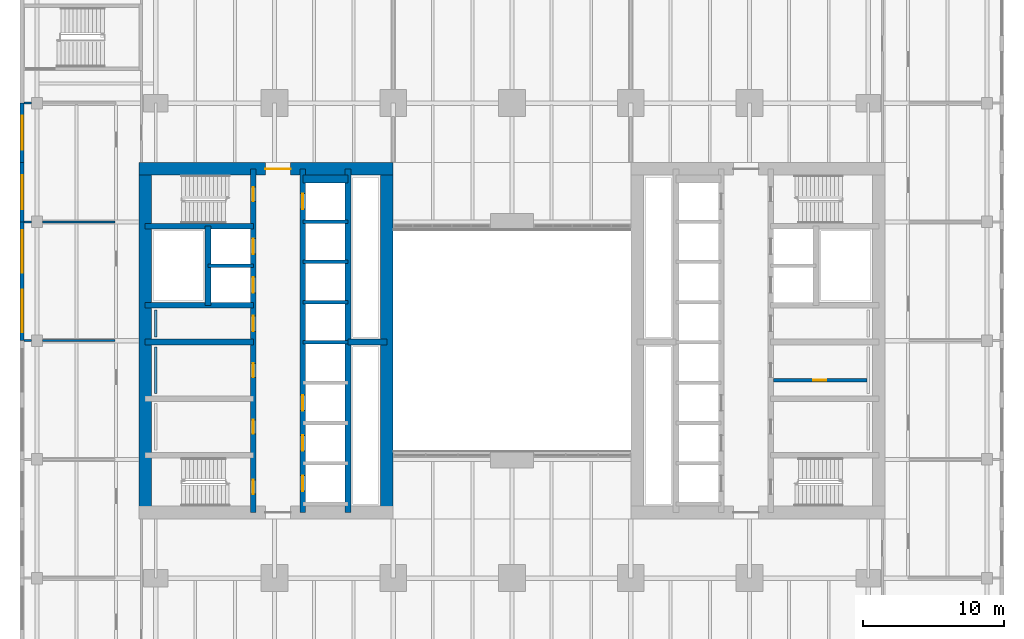
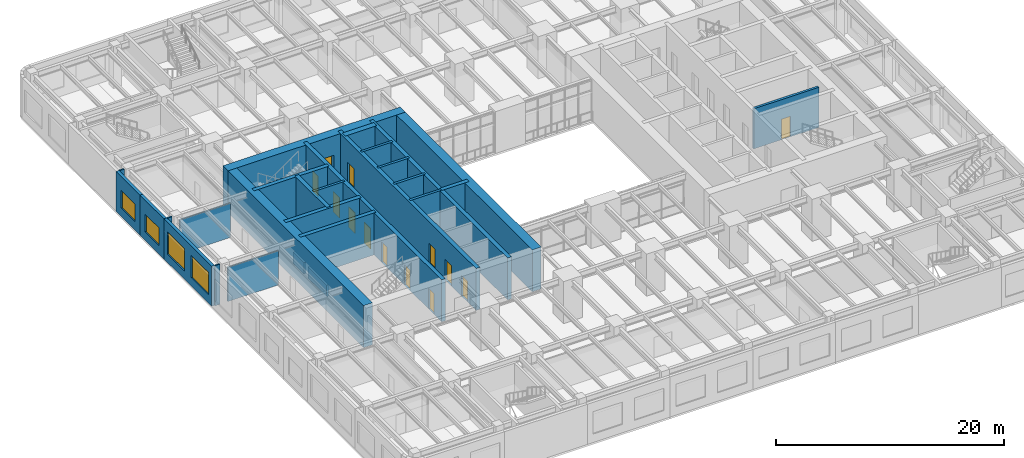
# One storey, part 11 of 26: 28 walls, 13 doors, 4 windows, 17 openings.
"""IFC4 building model written with IfcOpenShell, lengths in metres."""

from ifc_helpers import new_model, si_unit, direction, frame, frame_2d, origin, place, context, subcontext, project, spatial, rectangle, extrude, material, layer, layer_set, type_object, element, fill, save


model = new_model("IFC4")

# Units and contexts
model_context = context("Model", 3, precision=1e-05, world=origin(), true_north=direction((0.0, 1.0)))
body_context = subcontext(model_context, "Body", "Model", "MODEL_VIEW")
ifc_project = project(units=[si_unit("LENGTHUNIT", "METRE"), si_unit("AREAUNIT", "SQUARE_METRE"), si_unit("VOLUMEUNIT", "CUBIC_METRE"), si_unit("PLANEANGLEUNIT", "RADIAN"), si_unit("MASSUNIT", "GRAM", prefix="KILO")], contexts=[model_context])

# Site, building, storey
site_placement = place(None, origin())
site = spatial("IfcSite", under=ifc_project, at=site_placement, CompositionType="ELEMENT")
building_placement = place(site_placement, origin())
building = spatial("IfcBuilding", under=site, at=building_placement, Name="Claustro Exchange Tower", CompositionType="ELEMENT")
storey_placement = place(building_placement, frame((0.0, 0.0, 9.89990234375)))
storey = spatial("IfcBuildingStorey", under=building, at=storey_placement, Name="L02", CompositionType="ELEMENT", Elevation=9.89990234375)

# Walls
ifc_material_1 = material(Name="Gypsum board on steel studs", Category="steel")
ifc_layer_1 = layer(ifc_material_1, 0.14990234375)
ifc_layer_set_1 = layer_set([ifc_layer_1], Name="Gypsum board on steel studs")
wall_type_1 = type_object("IfcWallType", Name="P1 150 plasterboard partition", PredefinedType="PARTITIONING", material=ifc_layer_set_1)
wall_1_placement = place(storey_placement, frame((-9.300048828125, 25.199951171875, 0.0), z_axis=(0.0, 0.0, 1.0), x_axis=(1.0, 0.0, 0.0)))
element("IfcWall", 1, at=wall_1_placement, inside=storey, type_object=wall_type_1, Name="Partition P1 L02", PredefinedType="PARTITIONING", context=body_context, shape_type="SweptSolid", body=[
    extrude(rectangle(XDim=0.5009765625, YDim=0.14990234375, at=frame_2d((0.25048828125, 0.0))), origin(), (0.0, 0.0, 1.0), 4.300048828125),
])
wall_2_placement = place(storey_placement, frame((-8.0009765625, 25.199951171875, 0.0), z_axis=(0.0, 0.0, 1.0), x_axis=(1.0, 0.0, 0.0)))
element("IfcWall", 2, at=wall_2_placement, inside=storey, type_object=wall_type_1, Name="Partition P1 L02", PredefinedType="PARTITIONING", context=body_context, shape_type="SweptSolid", body=[
    extrude(rectangle(XDim=5.126953125, YDim=0.14990234375, at=frame_2d((2.5634765625, 0.0))), origin(), (0.0, 0.0, 1.0), 3.650146484375),
])
wall_3_placement = place(storey_placement, frame((-9.300048828125, 33.60009765625, 0.0), z_axis=(0.0, 0.0, 1.0), x_axis=(1.0, 0.0, 0.0)))
element("IfcWall", 3, at=wall_3_placement, inside=storey, type_object=wall_type_1, Name="Partition P1 L02", PredefinedType="PARTITIONING", context=body_context, shape_type="SweptSolid", body=[
    extrude(rectangle(XDim=0.5009765625, YDim=0.14990234375, at=frame_2d((0.25048828125, 0.0))), origin(), (0.0, 0.0, 1.0), 4.300048828125),
])
wall_4_placement = place(storey_placement, frame((-8.0009765625, 33.60009765625, 0.0), z_axis=(0.0, 0.0, 1.0), x_axis=(1.0, 0.0, 0.0)))
element("IfcWall", 4, at=wall_4_placement, inside=storey, type_object=wall_type_1, Name="Partition P1 L02", PredefinedType="PARTITIONING", context=body_context, shape_type="SweptSolid", body=[
    extrude(rectangle(XDim=5.126953125, YDim=0.14990234375, at=frame_2d((2.5634765625, 0.0))), origin(), (0.0, 0.0, 1.0), 3.650146484375),
])
wall_5_placement = place(storey_placement, frame((-9.300048828125, 42.0, 0.0), z_axis=(0.0, 0.0, 1.0), x_axis=(1.0, 0.0, 0.0)))
element("IfcWall", 5, at=wall_5_placement, inside=storey, type_object=wall_type_1, Name="Partition P1 L02", PredefinedType="PARTITIONING", context=body_context, shape_type="SweptSolid", body=[
    extrude(rectangle(XDim=0.5009765625, YDim=0.14990234375, at=frame_2d((0.25048828125, 0.0))), origin(), (0.0, 0.0, 1.0), 4.300048828125),
])

# Wall, opening, door
ifc_material_2 = material(Name="Concrete blockwork, rendered", Category="masonry")
ifc_layer_2 = layer(ifc_material_2, 0.25)
ifc_layer_set_2 = layer_set([ifc_layer_2], Name="Concrete blockwork, rendered")
wall_type_2 = type_object("IfcWallType", Name="P4 250 blockwork wall", PredefinedType="PARTITIONING", material=ifc_layer_set_2)
wall_6_placement = place(storey_placement, frame((43.699951171875, 22.39990234375, 0.0), z_axis=(0.0, 0.0, 1.0), x_axis=(1.0, 0.0, 0.0)))
wall_6 = element("IfcWall", 6, at=wall_6_placement, inside=storey, type_object=wall_type_2, Name="Partition P4 L02", PredefinedType="PARTITIONING", context=body_context, shape_type="SweptSolid", body=[
    extrude(rectangle(XDim=6.60009765625, YDim=0.25, at=frame_2d((3.300048828125, 0.0))), origin(), (0.0, 0.0, 1.0), 4.300048828125),
])
opening_1_placement = place(wall_6_placement, frame((2.824951171875, 0.0, 0.0)))
opening_1 = element("IfcOpeningElement", 7, at=opening_1_placement, cuts=wall_6, Name="Opening D5", PredefinedType="OPENING", context=body_context, shape_type="SweptSolid", body=[
    extrude(rectangle(XDim=0.89990234375, YDim=2.199951171875, at=frame_2d((0.449951171875, 1.10009765625))), frame((0.0, 0.135009765625, 0.0), z_axis=(0.0, -1.0, 0.0), x_axis=(1.0, 0.0, 0.0)), (0.0, 0.0, 1.0), 0.27001953125),
])
ifc_material_3 = material(Name="Steel door, painted", Category="steel")
door_type_1 = type_object("IfcDoorType", Name="D5 900 x 2200 store door", OperationType="SINGLE_SWING_LEFT", PredefinedType="DOOR", material=ifc_material_3)
door_1_placement = place(opening_1_placement, frame((0.89990234375, 0.0, 0.0), z_axis=(0.0, 0.0, 1.0), x_axis=(-1.0, 0.0, 0.0)))
door_1 = element("IfcDoor", 8, at=door_1_placement, inside=storey, type_object=door_type_1, Name="Store door D5 L02", OperationType="SINGLE_SWING_LEFT", OverallHeight=2.199951171875, OverallWidth=0.89990234375, PredefinedType="DOOR", context=body_context, shape_type="SweptSolid", body=[
    extrude(rectangle(XDim=0.89990234375, YDim=2.199951171875, at=frame_2d((0.449951171875, 1.10009765625))), frame((0.0, 0.02490234375, 0.0), z_axis=(0.0, -1.0, 0.0), x_axis=(1.0, 0.0, 0.0)), (0.0, 0.0, 1.0), 0.050048828125),
])
fill(opening_1, door_1)

# Wall, openings, windows
ifc_material_4 = material(Name="Concrete HA-40 (C40/50), precast, white cement, acid-etched", Category="concrete")
ifc_layer_3 = layer(ifc_material_4, 0.300048828125)
ifc_layer_set_3 = layer_set([ifc_layer_3], Name="Concrete HA-40 (C40/50), precast, white cement, acid-etched")
wall_type_3 = type_object("IfcWallType", Name="PC1 300 precast concrete pier panel", PredefinedType="SOLIDWALL", material=ifc_layer_set_3)
wall_7_placement = place(storey_placement, frame((-9.449951171875, 25.199951171875, 0.0), z_axis=(0.0, 0.0, 1.0), x_axis=(0.0, 1.0, 0.0)))
wall_7 = element("IfcWall", 9, at=wall_7_placement, inside=storey, type_object=wall_type_3, Name="Precast pier panel PC1 L02", PredefinedType="SOLIDWALL", context=body_context, shape_type="SweptSolid", body=[
    extrude(rectangle(XDim=8.400146484375, YDim=0.300048828125, at=frame_2d((4.2001953125, 0.0))), origin(), (0.0, 0.0, 1.0), 4.300048828125),
])
opening_2_placement = place(wall_7_placement, frame((0.60009765625, 0.0, 0.89990234375)))
opening_2 = element("IfcOpeningElement", 10, at=opening_2_placement, cuts=wall_7, Name="Opening W3", PredefinedType="OPENING", context=body_context, shape_type="SweptSolid", body=[
    extrude(rectangle(XDim=3.0, YDim=2.39990234375, at=frame_2d((1.5, 1.199951171875))), frame((0.0, 0.159912109375, 0.0), z_axis=(0.0, -1.0, 0.0), x_axis=(1.0, 0.0, 0.0)), (0.0, 0.0, 1.0), 0.320068359375),
])
opening_3_placement = place(wall_7_placement, frame((4.800048828125, 0.0, 0.89990234375)))
opening_3 = element("IfcOpeningElement", 11, at=opening_3_placement, cuts=wall_7, Name="Opening W3", PredefinedType="OPENING", context=body_context, shape_type="SweptSolid", body=[
    extrude(rectangle(XDim=3.0, YDim=2.39990234375, at=frame_2d((1.5, 1.199951171875))), frame((0.0, 0.159912109375, 0.0), z_axis=(0.0, -1.0, 0.0), x_axis=(1.0, 0.0, 0.0)), (0.0, 0.0, 1.0), 0.320068359375),
])
ifc_material_5 = material(Name="Aluminium frame, clear double glazing", Category="aluminium")
window_type_1 = type_object("IfcWindowType", Name="W3 3000 x 2400 window", PartitioningType="SINGLE_PANEL", PredefinedType="WINDOW", material=ifc_material_5)
window_1_placement = place(opening_2_placement, origin())
window_1 = element("IfcWindow", 12, at=window_1_placement, inside=storey, type_object=window_type_1, Name="Window W3 L02", OverallHeight=2.39990234375, OverallWidth=3.0, PartitioningType="SINGLE_PANEL", PredefinedType="WINDOW", context=body_context, shape_type="SweptSolid", body=[
    extrude(rectangle(XDim=3.0, YDim=2.39990234375, at=frame_2d((1.5, 1.199951171875))), frame((0.0, 0.030029296875, 0.0), z_axis=(0.0, -1.0, 0.0), x_axis=(1.0, 0.0, 0.0)), (0.0, 0.0, 1.0), 0.06005859375),
])
fill(opening_2, window_1)
window_2_placement = place(opening_3_placement, origin())
window_2 = element("IfcWindow", 13, at=window_2_placement, inside=storey, type_object=window_type_1, Name="Window W3 L02", OverallHeight=2.39990234375, OverallWidth=3.0, PartitioningType="SINGLE_PANEL", PredefinedType="WINDOW", context=body_context, shape_type="SweptSolid", body=[
    extrude(rectangle(XDim=3.0, YDim=2.39990234375, at=frame_2d((1.5, 1.199951171875))), frame((0.0, 0.030029296875, 0.0), z_axis=(0.0, -1.0, 0.0), x_axis=(1.0, 0.0, 0.0)), (0.0, 0.0, 1.0), 0.06005859375),
])
fill(opening_3, window_2)

# Wall, opening, window
wall_8_placement = place(storey_placement, frame((-9.449951171875, 33.60009765625, 0.0), z_axis=(0.0, 0.0, 1.0), x_axis=(0.0, 1.0, 0.0)))
wall_8 = element("IfcWall", 14, at=wall_8_placement, inside=storey, type_object=wall_type_3, Name="Precast pier panel PC1 L02", PredefinedType="SOLIDWALL", context=body_context, shape_type="SweptSolid", body=[
    extrude(rectangle(XDim=4.199951171875, YDim=0.300048828125, at=frame_2d((2.10009765625, 0.0))), origin(), (0.0, 0.0, 1.0), 4.300048828125),
])
opening_4_placement = place(wall_8_placement, frame((0.89990234375, 0.0, 0.89990234375)))
opening_4 = element("IfcOpeningElement", 15, at=opening_4_placement, cuts=wall_8, Name="Opening W2", PredefinedType="OPENING", context=body_context, shape_type="SweptSolid", body=[
    extrude(rectangle(XDim=2.39990234375, YDim=1.89990234375, at=frame_2d((1.199951171875, 0.949951171875))), frame((0.0, 0.159912109375, 0.0), z_axis=(0.0, -1.0, 0.0), x_axis=(1.0, 0.0, 0.0)), (0.0, 0.0, 1.0), 0.320068359375),
])
ifc_material_6 = material(Name="Aluminium frame, clear double glazing", Category="aluminium")
window_type_2 = type_object("IfcWindowType", Name="W2 2400 x 1900 window", PartitioningType="SINGLE_PANEL", PredefinedType="WINDOW", material=ifc_material_6)
window_3_placement = place(opening_4_placement, origin())
window_3 = element("IfcWindow", 16, at=window_3_placement, inside=storey, type_object=window_type_2, Name="Window W2 L02", OverallHeight=1.89990234375, OverallWidth=2.39990234375, PartitioningType="SINGLE_PANEL", PredefinedType="WINDOW", context=body_context, shape_type="SweptSolid", body=[
    extrude(rectangle(XDim=2.39990234375, YDim=1.89990234375, at=frame_2d((1.199951171875, 0.949951171875))), frame((0.0, 0.030029296875, 0.0), z_axis=(0.0, -1.0, 0.0), x_axis=(1.0, 0.0, 0.0)), (0.0, 0.0, 1.0), 0.06005859375),
])
fill(opening_4, window_3)

wall_9_placement = place(storey_placement, frame((-9.449951171875, 37.800048828125, 0.0), z_axis=(0.0, 0.0, 1.0), x_axis=(0.0, 1.0, 0.0)))
wall_9 = element("IfcWall", 17, at=wall_9_placement, inside=storey, type_object=wall_type_3, Name="Precast pier panel PC1 L02", PredefinedType="SOLIDWALL", context=body_context, shape_type="SweptSolid", body=[
    extrude(rectangle(XDim=4.199951171875, YDim=0.300048828125, at=frame_2d((2.10009765625, 0.0))), origin(), (0.0, 0.0, 1.0), 4.300048828125),
])
opening_5_placement = place(wall_9_placement, frame((0.89990234375, 0.0, 0.89990234375)))
opening_5 = element("IfcOpeningElement", 18, at=opening_5_placement, cuts=wall_9, Name="Opening W2", PredefinedType="OPENING", context=body_context, shape_type="SweptSolid", body=[
    extrude(rectangle(XDim=2.39990234375, YDim=1.89990234375, at=frame_2d((1.199951171875, 0.949951171875))), frame((0.0, 0.159912109375, 0.0), z_axis=(0.0, -1.0, 0.0), x_axis=(1.0, 0.0, 0.0)), (0.0, 0.0, 1.0), 0.320068359375),
])
window_4_placement = place(opening_5_placement, origin())
window_4 = element("IfcWindow", 19, at=window_4_placement, inside=storey, type_object=window_type_2, Name="Window W2 L02", OverallHeight=1.89990234375, OverallWidth=2.39990234375, PartitioningType="SINGLE_PANEL", PredefinedType="WINDOW", context=body_context, shape_type="SweptSolid", body=[
    extrude(rectangle(XDim=2.39990234375, YDim=1.89990234375, at=frame_2d((1.199951171875, 0.949951171875))), frame((0.0, 0.030029296875, 0.0), z_axis=(0.0, -1.0, 0.0), x_axis=(1.0, 0.0, 0.0)), (0.0, 0.0, 1.0), 0.06005859375),
])
fill(opening_5, window_4)

# Walls
ifc_material_7 = material(Name="Gypsum board on steel studs, tiled", Category="steel")
ifc_layer_4 = layer(ifc_material_7, 0.199951171875)
ifc_layer_set_4 = layer_set([ifc_layer_4], Name="Gypsum board on steel studs, tiled")
wall_type_4 = type_object("IfcWallType", Name="PW1 200 WC duct wall", PredefinedType="PLUMBINGWALL", material=ifc_layer_set_4)
wall_10_placement = place(storey_placement, frame((0.0, 21.449951171875, 0.0), z_axis=(0.0, 0.0, 1.0), x_axis=(0.0, 1.0, 0.0)))
element("IfcWall", 20, at=wall_10_placement, inside=storey, type_object=wall_type_4, Name="WC duct wall PW1 L02", PredefinedType="PLUMBINGWALL", context=body_context, shape_type="SweptSolid", body=[
    extrude(rectangle(XDim=3.300048828125, YDim=0.199951171875, at=frame_2d((1.64990234375, 0.0))), origin(), (0.0, 0.0, 1.0), 1.2001953125),
])
wall_11_placement = place(storey_placement, frame((0.0, 25.449951171875, 0.0), z_axis=(0.0, 0.0, 1.0), x_axis=(0.0, 1.0, 0.0)))
element("IfcWall", 21, at=wall_11_placement, inside=storey, type_object=wall_type_4, Name="WC duct wall PW1 L02", PredefinedType="PLUMBINGWALL", context=body_context, shape_type="SweptSolid", body=[
    extrude(rectangle(XDim=1.900146484375, YDim=0.199951171875, at=frame_2d((0.9501953125, 0.0))), origin(), (0.0, 0.0, 1.0), 1.2001953125),
])

# Wall, opening, door
ifc_material_8 = material(Name="Concrete HA-70 (C70/85)", Category="concrete")
ifc_layer_5 = layer(ifc_material_8, 0.89990234375)
ifc_layer_set_5 = layer_set([ifc_layer_5], Name="Concrete HA-70 (C70/85)")
wall_type_5 = type_object("IfcWallType", Name="SW1 900 core shear wall", PredefinedType="SHEAR", material=ifc_layer_set_5)
wall_12_placement = place(storey_placement, frame((-1.199951171875, 37.35009765625, 0.0), z_axis=(0.0, 0.0, 1.0), x_axis=(1.0, 0.0, 0.0)))
wall_12 = element("IfcWall", 22, at=wall_12_placement, inside=storey, type_object=wall_type_5, Name="Core wall SW1 W core N face L02", PredefinedType="SHEAR", context=body_context, shape_type="SweptSolid", body=[
    extrude(rectangle(XDim=18.0, YDim=0.89990234375, at=frame_2d((9.0, 0.0))), origin(), (0.0, 0.0, 1.0), 4.5),
])
opening_6_placement = place(wall_12_placement, frame((8.949951171875, 0.0, 0.0)))
opening_6 = element("IfcOpeningElement", 23, at=opening_6_placement, cuts=wall_12, Name="Opening D3", PredefinedType="OPENING", context=body_context, shape_type="SweptSolid", body=[
    extrude(rectangle(XDim=1.800048828125, YDim=2.39990234375, at=frame_2d((0.89990234375, 1.199951171875))), frame((0.0, 0.4599609375, 0.0), z_axis=(0.0, -1.0, 0.0), x_axis=(1.0, 0.0, 0.0)), (0.0, 0.0, 1.0), 0.919921875),
])
ifc_material_9 = material(Name="Steel fire door, painted", Category="steel")
door_type_2 = type_object("IfcDoorType", Name="D3 1800 x 2400 fire-rated lobby double door", OperationType="DOUBLE_DOOR_SINGLE_SWING", PredefinedType="DOOR", material=ifc_material_9)
door_2_placement = place(opening_6_placement, origin())
door_2 = element("IfcDoor", 24, at=door_2_placement, inside=storey, type_object=door_type_2, Name="Lift lobby door D3 L02", OperationType="DOUBLE_DOOR_SINGLE_SWING", OverallHeight=2.39990234375, OverallWidth=1.800048828125, PredefinedType="DOOR", context=body_context, shape_type="SweptSolid", body=[
    extrude(rectangle(XDim=1.800048828125, YDim=2.39990234375, at=frame_2d((0.89990234375, 1.199951171875))), frame((0.0, 0.02490234375, 0.0), z_axis=(0.0, -1.0, 0.0), x_axis=(1.0, 0.0, 0.0)), (0.0, 0.0, 1.0), 0.050048828125),
])
fill(opening_6, door_2)

# Walls
ifc_material_10 = material(Name="Concrete HA-70 (C70/85)", Category="concrete")
ifc_layer_6 = layer(ifc_material_10, 0.89990234375)
ifc_layer_set_6 = layer_set([ifc_layer_6], Name="Concrete HA-70 (C70/85)")
wall_type_6 = type_object("IfcWallType", Name="SW1X 900 exposed core shear wall, board-marked face", PredefinedType="SHEAR", material=ifc_layer_set_6)
for number, where, z_axis, x_axis, name in (
    (25, (-0.75, 13.050048828125, 0.0), (0.0, 0.0, 1.0), (0.0, 1.0, 0.0), "Core wall SW1X W core W face L02"),
    (26, (16.35009765625, 13.050048828125, 0.0), (0.0, 0.0, 1.0), (0.0, 1.0, 0.0), "Core wall SW1X W core E face L02"),
):
    element("IfcWall", number, at=place(storey_placement, frame(where, z_axis=z_axis, x_axis=x_axis)), inside=storey, type_object=wall_type_6, Name=name, PredefinedType="SHEAR", context=body_context, shape_type="SweptSolid", body=[
        extrude(rectangle(XDim=24.300048828125, YDim=0.89990234375, at=frame_2d((12.14990234375, 0.0))), origin(), (0.0, 0.0, 1.0), 4.5),
    ])

# Wall, openings, doors
ifc_material_11 = material(Name="Concrete HA-50 (C50/60)", Category="concrete")
ifc_layer_7 = layer(ifc_material_11, 0.39990234375)
ifc_layer_set_7 = layer_set([ifc_layer_7], Name="Concrete HA-50 (C50/60)")
wall_type_7 = type_object("IfcWallType", Name="SW4 400 internal core wall", PredefinedType="SHEAR", material=ifc_layer_set_7)
wall_13_placement = place(storey_placement, frame((6.89990234375, 13.050048828125, 0.0), z_axis=(0.0, 0.0, 1.0), x_axis=(0.0, 1.0, 0.0)))
wall_13 = element("IfcWall", 27, at=wall_13_placement, inside=storey, type_object=wall_type_7, Name="Internal core wall SW4 W core L02", PredefinedType="SHEAR", context=body_context, shape_type="SweptSolid", body=[
    extrude(rectangle(XDim=24.300048828125, YDim=0.39990234375, at=frame_2d((12.14990234375, 0.0))), origin(), (0.0, 0.0, 1.0), 4.5),
])
opening_7_placement = place(wall_13_placement, frame((1.300048828125, 0.0, 0.0)))
opening_7 = element("IfcOpeningElement", 28, at=opening_7_placement, cuts=wall_13, Name="Opening D4", PredefinedType="OPENING", context=body_context, shape_type="SweptSolid", body=[
    extrude(rectangle(XDim=1.0, YDim=2.199951171875, at=frame_2d((0.5, 1.10009765625))), frame((0.0, 0.2099609375, 0.0), z_axis=(0.0, -1.0, 0.0), x_axis=(1.0, 0.0, 0.0)), (0.0, 0.0, 1.0), 0.419921875),
])
opening_8_placement = place(wall_13_placement, frame((22.0, 0.0, 0.0)))
opening_8 = element("IfcOpeningElement", 29, at=opening_8_placement, cuts=wall_13, Name="Opening D4", PredefinedType="OPENING", context=body_context, shape_type="SweptSolid", body=[
    extrude(rectangle(XDim=1.0, YDim=2.199951171875, at=frame_2d((0.5, 1.10009765625))), frame((0.0, 0.2099609375, 0.0), z_axis=(0.0, -1.0, 0.0), x_axis=(1.0, 0.0, 0.0)), (0.0, 0.0, 1.0), 0.419921875),
])
opening_9_placement = place(wall_13_placement, frame((5.550048828125, 0.0, 0.0)))
opening_9 = element("IfcOpeningElement", 30, at=opening_9_placement, cuts=wall_13, Name="Opening D1", PredefinedType="OPENING", context=body_context, shape_type="SweptSolid", body=[
    extrude(rectangle(XDim=1.0, YDim=2.199951171875, at=frame_2d((0.5, 1.10009765625))), frame((0.0, 0.2099609375, 0.0), z_axis=(0.0, -1.0, 0.0), x_axis=(1.0, 0.0, 0.0)), (0.0, 0.0, 1.0), 0.419921875),
])
opening_10_placement = place(wall_13_placement, frame((9.550048828125, 0.0, 0.0)))
opening_10 = element("IfcOpeningElement", 31, at=opening_10_placement, cuts=wall_13, Name="Opening D1", PredefinedType="OPENING", context=body_context, shape_type="SweptSolid", body=[
    extrude(rectangle(XDim=1.0, YDim=2.199951171875, at=frame_2d((0.5, 1.10009765625))), frame((0.0, 0.2099609375, 0.0), z_axis=(0.0, -1.0, 0.0), x_axis=(1.0, 0.0, 0.0)), (0.0, 0.0, 1.0), 0.419921875),
])
opening_11_placement = place(wall_13_placement, frame((12.800048828125, 0.0, 0.0)))
opening_11 = element("IfcOpeningElement", 32, at=opening_11_placement, cuts=wall_13, Name="Opening D10", PredefinedType="OPENING", context=body_context, shape_type="SweptSolid", body=[
    extrude(rectangle(XDim=1.10009765625, YDim=2.199951171875, at=frame_2d((0.550048828125, 1.10009765625))), frame((0.0, 0.2099609375, 0.0), z_axis=(0.0, -1.0, 0.0), x_axis=(1.0, 0.0, 0.0)), (0.0, 0.0, 1.0), 0.419921875),
])
opening_12_placement = place(wall_13_placement, frame((15.53759765625, 0.0, 0.0)))
opening_12 = element("IfcOpeningElement", 33, at=opening_12_placement, cuts=wall_13, Name="Opening LD", PredefinedType="OPENING", context=body_context, shape_type="SweptSolid", body=[
    extrude(rectangle(XDim=1.10009765625, YDim=2.199951171875, at=frame_2d((0.550048828125, 1.10009765625))), frame((0.0, 0.2099609375, 0.0), z_axis=(0.0, -1.0, 0.0), x_axis=(1.0, 0.0, 0.0)), (0.0, 0.0, 1.0), 0.419921875),
])
opening_13_placement = place(wall_13_placement, frame((18.262451171875, 0.0, 0.0)))
opening_13 = element("IfcOpeningElement", 34, at=opening_13_placement, cuts=wall_13, Name="Opening LD", PredefinedType="OPENING", context=body_context, shape_type="SweptSolid", body=[
    extrude(rectangle(XDim=1.10009765625, YDim=2.199951171875, at=frame_2d((0.550048828125, 1.10009765625))), frame((0.0, 0.2099609375, 0.0), z_axis=(0.0, -1.0, 0.0), x_axis=(1.0, 0.0, 0.0)), (0.0, 0.0, 1.0), 0.419921875),
])
ifc_material_12 = material(Name="Timber door, oak veneer", Category="wood")
door_type_3 = type_object("IfcDoorType", Name="D1 1000 x 2200 single door", OperationType="SINGLE_SWING_LEFT", PredefinedType="DOOR", material=ifc_material_12)
door_3_placement = place(opening_9_placement, origin())
door_3 = element("IfcDoor", 35, at=door_3_placement, inside=storey, type_object=door_type_3, Name="Door D1 L02", OperationType="SINGLE_SWING_RIGHT", OverallHeight=2.199951171875, OverallWidth=1.0, PredefinedType="DOOR", context=body_context, shape_type="SweptSolid", body=[
    extrude(rectangle(XDim=1.0, YDim=2.199951171875, at=frame_2d((0.5, 1.10009765625))), frame((0.0, 0.02490234375, 0.0), z_axis=(0.0, -1.0, 0.0), x_axis=(1.0, 0.0, 0.0)), (0.0, 0.0, 1.0), 0.050048828125),
])
fill(opening_9, door_3)
door_4_placement = place(opening_10_placement, origin())
door_4 = element("IfcDoor", 36, at=door_4_placement, inside=storey, type_object=door_type_3, Name="Door D1 L02", OperationType="SINGLE_SWING_RIGHT", OverallHeight=2.199951171875, OverallWidth=1.0, PredefinedType="DOOR", context=body_context, shape_type="SweptSolid", body=[
    extrude(rectangle(XDim=1.0, YDim=2.199951171875, at=frame_2d((0.5, 1.10009765625))), frame((0.0, 0.02490234375, 0.0), z_axis=(0.0, -1.0, 0.0), x_axis=(1.0, 0.0, 0.0)), (0.0, 0.0, 1.0), 0.050048828125),
])
fill(opening_10, door_4)
ifc_material_13 = material(Name="Timber door, oak veneer", Category="wood")
door_type_4 = type_object("IfcDoorType", Name="D10 1100 x 2200 accessible WC door", OperationType="SINGLE_SWING_LEFT", PredefinedType="DOOR", material=ifc_material_13)
door_5_placement = place(opening_11_placement, frame((1.10009765625, 0.0, 0.0), z_axis=(0.0, 0.0, 1.0), x_axis=(-1.0, 0.0, 0.0)))
door_5 = element("IfcDoor", 37, at=door_5_placement, inside=storey, type_object=door_type_4, Name="Accessible WC door D10 L02", OperationType="SINGLE_SWING_LEFT", OverallHeight=2.199951171875, OverallWidth=1.10009765625, PredefinedType="DOOR", context=body_context, shape_type="SweptSolid", body=[
    extrude(rectangle(XDim=1.10009765625, YDim=2.199951171875, at=frame_2d((0.550048828125, 1.10009765625))), frame((0.0, 0.02490234375, 0.0), z_axis=(0.0, -1.0, 0.0), x_axis=(1.0, 0.0, 0.0)), (0.0, 0.0, 1.0), 0.050048828125),
])
fill(opening_11, door_5)
ifc_material_14 = material(Name="Steel fire door, painted", Category="steel")
door_type_5 = type_object("IfcDoorType", Name="D4 1000 x 2200 fire-rated stair door", OperationType="SINGLE_SWING_LEFT", PredefinedType="DOOR", material=ifc_material_14)
door_6_placement = place(opening_7_placement, origin())
door_6 = element("IfcDoor", 38, at=door_6_placement, inside=storey, type_object=door_type_5, Name="Stair door D4 L02", OperationType="SINGLE_SWING_LEFT", OverallHeight=2.199951171875, OverallWidth=1.0, PredefinedType="DOOR", context=body_context, shape_type="SweptSolid", body=[
    extrude(rectangle(XDim=1.0, YDim=2.199951171875, at=frame_2d((0.5, 1.10009765625))), frame((0.0, 0.02490234375, 0.0), z_axis=(0.0, -1.0, 0.0), x_axis=(1.0, 0.0, 0.0)), (0.0, 0.0, 1.0), 0.050048828125),
])
fill(opening_7, door_6)
door_7_placement = place(opening_8_placement, origin())
door_7 = element("IfcDoor", 39, at=door_7_placement, inside=storey, type_object=door_type_5, Name="Stair door D4 L02", OperationType="SINGLE_SWING_RIGHT", OverallHeight=2.199951171875, OverallWidth=1.0, PredefinedType="DOOR", context=body_context, shape_type="SweptSolid", body=[
    extrude(rectangle(XDim=1.0, YDim=2.199951171875, at=frame_2d((0.5, 1.10009765625))), frame((0.0, 0.02490234375, 0.0), z_axis=(0.0, -1.0, 0.0), x_axis=(1.0, 0.0, 0.0)), (0.0, 0.0, 1.0), 0.050048828125),
])
fill(opening_8, door_7)
ifc_material_15 = material(Name="Stainless steel sliding door", Category="steel")
door_type_6 = type_object("IfcDoorType", Name="LD 1100 x 2200 lift landing door", OperationType="DOUBLE_DOOR_SLIDING", PredefinedType="DOOR", material=ifc_material_15)
door_8_placement = place(opening_12_placement, origin())
door_8 = element("IfcDoor", 40, at=door_8_placement, inside=storey, type_object=door_type_6, Name="Lift landing door LEW1 LD L02", OperationType="DOUBLE_DOOR_SLIDING", OverallHeight=2.199951171875, OverallWidth=1.10009765625, PredefinedType="DOOR", context=body_context, shape_type="SweptSolid", body=[
    extrude(rectangle(XDim=1.10009765625, YDim=2.199951171875, at=frame_2d((0.550048828125, 1.10009765625))), frame((0.0, 0.02490234375, 0.0), z_axis=(0.0, -1.0, 0.0), x_axis=(1.0, 0.0, 0.0)), (0.0, 0.0, 1.0), 0.050048828125),
])
fill(opening_12, door_8)
door_9_placement = place(opening_13_placement, origin())
door_9 = element("IfcDoor", 41, at=door_9_placement, inside=storey, type_object=door_type_6, Name="Lift landing door LEW2 LD L02", OperationType="DOUBLE_DOOR_SLIDING", OverallHeight=2.199951171875, OverallWidth=1.10009765625, PredefinedType="DOOR", context=body_context, shape_type="SweptSolid", body=[
    extrude(rectangle(XDim=1.10009765625, YDim=2.199951171875, at=frame_2d((0.550048828125, 1.10009765625))), frame((0.0, 0.02490234375, 0.0), z_axis=(0.0, -1.0, 0.0), x_axis=(1.0, 0.0, 0.0)), (0.0, 0.0, 1.0), 0.050048828125),
])
fill(opening_13, door_9)

wall_14_placement = place(storey_placement, frame((10.39990234375, 13.050048828125, 0.0), z_axis=(0.0, 0.0, 1.0), x_axis=(0.0, 1.0, 0.0)))
wall_14 = element("IfcWall", 42, at=wall_14_placement, inside=storey, type_object=wall_type_7, Name="Internal core wall SW4 W core L02", PredefinedType="SHEAR", context=body_context, shape_type="SweptSolid", body=[
    extrude(rectangle(XDim=24.300048828125, YDim=0.39990234375, at=frame_2d((12.14990234375, 0.0))), origin(), (0.0, 0.0, 1.0), 4.5),
])
opening_14_placement = place(wall_14_placement, frame((1.5, 0.0, 0.0)))
opening_14 = element("IfcOpeningElement", 43, at=opening_14_placement, cuts=wall_14, Name="Opening LD", PredefinedType="OPENING", context=body_context, shape_type="SweptSolid", body=[
    extrude(rectangle(XDim=1.10009765625, YDim=2.199951171875, at=frame_2d((0.550048828125, 1.10009765625))), frame((0.0, 0.2099609375, 0.0), z_axis=(0.0, -1.0, 0.0), x_axis=(1.0, 0.0, 0.0)), (0.0, 0.0, 1.0), 0.419921875),
])
opening_15_placement = place(wall_14_placement, frame((4.35009765625, 0.0, 0.0)))
opening_15 = element("IfcOpeningElement", 44, at=opening_15_placement, cuts=wall_14, Name="Opening LD", PredefinedType="OPENING", context=body_context, shape_type="SweptSolid", body=[
    extrude(rectangle(XDim=1.10009765625, YDim=2.199951171875, at=frame_2d((0.550048828125, 1.10009765625))), frame((0.0, 0.2099609375, 0.0), z_axis=(0.0, -1.0, 0.0), x_axis=(1.0, 0.0, 0.0)), (0.0, 0.0, 1.0), 0.419921875),
])
opening_16_placement = place(wall_14_placement, frame((7.199951171875, 0.0, 0.0)))
opening_16 = element("IfcOpeningElement", 45, at=opening_16_placement, cuts=wall_14, Name="Opening LD", PredefinedType="OPENING", context=body_context, shape_type="SweptSolid", body=[
    extrude(rectangle(XDim=1.10009765625, YDim=2.199951171875, at=frame_2d((0.550048828125, 1.10009765625))), frame((0.0, 0.2099609375, 0.0), z_axis=(0.0, -1.0, 0.0), x_axis=(1.0, 0.0, 0.0)), (0.0, 0.0, 1.0), 0.419921875),
])
opening_17_placement = place(wall_14_placement, frame((21.449951171875, 0.0, 0.0)))
opening_17 = element("IfcOpeningElement", 46, at=opening_17_placement, cuts=wall_14, Name="Opening LD", PredefinedType="OPENING", context=body_context, shape_type="SweptSolid", body=[
    extrude(rectangle(XDim=1.10009765625, YDim=2.199951171875, at=frame_2d((0.550048828125, 1.10009765625))), frame((0.0, 0.2099609375, 0.0), z_axis=(0.0, -1.0, 0.0), x_axis=(1.0, 0.0, 0.0)), (0.0, 0.0, 1.0), 0.419921875),
])
door_10_placement = place(opening_14_placement, origin())
door_10 = element("IfcDoor", 47, at=door_10_placement, inside=storey, type_object=door_type_6, Name="Lift landing door LLW1 LD L02", OperationType="DOUBLE_DOOR_SLIDING", OverallHeight=2.199951171875, OverallWidth=1.10009765625, PredefinedType="DOOR", context=body_context, shape_type="SweptSolid", body=[
    extrude(rectangle(XDim=1.10009765625, YDim=2.199951171875, at=frame_2d((0.550048828125, 1.10009765625))), frame((0.0, 0.02490234375, 0.0), z_axis=(0.0, -1.0, 0.0), x_axis=(1.0, 0.0, 0.0)), (0.0, 0.0, 1.0), 0.050048828125),
])
fill(opening_14, door_10)
door_11_placement = place(opening_15_placement, origin())
door_11 = element("IfcDoor", 48, at=door_11_placement, inside=storey, type_object=door_type_6, Name="Lift landing door LLW2 LD L02", OperationType="DOUBLE_DOOR_SLIDING", OverallHeight=2.199951171875, OverallWidth=1.10009765625, PredefinedType="DOOR", context=body_context, shape_type="SweptSolid", body=[
    extrude(rectangle(XDim=1.10009765625, YDim=2.199951171875, at=frame_2d((0.550048828125, 1.10009765625))), frame((0.0, 0.02490234375, 0.0), z_axis=(0.0, -1.0, 0.0), x_axis=(1.0, 0.0, 0.0)), (0.0, 0.0, 1.0), 0.050048828125),
])
fill(opening_15, door_11)
door_12_placement = place(opening_16_placement, origin())
door_12 = element("IfcDoor", 49, at=door_12_placement, inside=storey, type_object=door_type_6, Name="Lift landing door LLW3 LD L02", OperationType="DOUBLE_DOOR_SLIDING", OverallHeight=2.199951171875, OverallWidth=1.10009765625, PredefinedType="DOOR", context=body_context, shape_type="SweptSolid", body=[
    extrude(rectangle(XDim=1.10009765625, YDim=2.199951171875, at=frame_2d((0.550048828125, 1.10009765625))), frame((0.0, 0.02490234375, 0.0), z_axis=(0.0, -1.0, 0.0), x_axis=(1.0, 0.0, 0.0)), (0.0, 0.0, 1.0), 0.050048828125),
])
fill(opening_16, door_12)
door_13_placement = place(opening_17_placement, origin())
door_13 = element("IfcDoor", 50, at=door_13_placement, inside=storey, type_object=door_type_6, Name="Lift landing door LSW1 LD L02", OperationType="DOUBLE_DOOR_SLIDING", OverallHeight=2.199951171875, OverallWidth=1.10009765625, PredefinedType="DOOR", context=body_context, shape_type="SweptSolid", body=[
    extrude(rectangle(XDim=1.10009765625, YDim=2.199951171875, at=frame_2d((0.550048828125, 1.10009765625))), frame((0.0, 0.02490234375, 0.0), z_axis=(0.0, -1.0, 0.0), x_axis=(1.0, 0.0, 0.0)), (0.0, 0.0, 1.0), 0.050048828125),
])
fill(opening_17, door_13)

# Walls
wall_15_placement = place(storey_placement, frame((13.60009765625, 13.050048828125, 0.0), z_axis=(0.0, 0.0, 1.0), x_axis=(0.0, 1.0, 0.0)))
element("IfcWall", 51, at=wall_15_placement, inside=storey, type_object=wall_type_7, Name="Internal core wall SW4 W core L02", PredefinedType="SHEAR", context=body_context, shape_type="SweptSolid", body=[
    extrude(rectangle(XDim=24.300048828125, YDim=0.39990234375, at=frame_2d((12.14990234375, 0.0))), origin(), (0.0, 0.0, 1.0), 4.5),
])
for number, where, z_axis, x_axis, name in (
    (52, (-0.75, 25.10009765625, 0.0), (0.0, 0.0, 1.0), (1.0, 0.0, 0.0), "Internal core wall SW4 W core L02"),
    (53, (-0.75, 27.699951171875, 0.0), (0.0, 0.0, 1.0), (1.0, 0.0, 0.0), "Internal core wall SW4 W core L02"),
    (54, (-0.75, 33.300048828125, 0.0), (0.0, 0.0, 1.0), (1.0, 0.0, 0.0), "Internal core wall SW4 W core L02"),
):
    element("IfcWall", number, at=place(storey_placement, frame(where, z_axis=z_axis, x_axis=x_axis)), inside=storey, type_object=wall_type_7, Name=name, PredefinedType="SHEAR", context=body_context, shape_type="SweptSolid", body=[
        extrude(rectangle(XDim=7.64990234375, YDim=0.39990234375, at=frame_2d((3.824951171875, 0.0))), origin(), (0.0, 0.0, 1.0), 4.5),
    ])
wall_16_placement = place(storey_placement, frame((3.699951171875, 27.699951171875, 0.0), z_axis=(0.0, 0.0, 1.0), x_axis=(0.0, 1.0, 0.0)))
element("IfcWall", 55, at=wall_16_placement, inside=storey, type_object=wall_type_7, Name="Internal core wall SW4 W core L02", PredefinedType="SHEAR", context=body_context, shape_type="SweptSolid", body=[
    extrude(rectangle(XDim=5.60009765625, YDim=0.39990234375, at=frame_2d((2.800048828125, 0.0))), origin(), (0.0, 0.0, 1.0), 4.5),
])
wall_17_placement = place(storey_placement, frame((13.60009765625, 25.10009765625, 0.0), z_axis=(0.0, 0.0, 1.0), x_axis=(1.0, 0.0, 0.0)))
element("IfcWall", 56, at=wall_17_placement, inside=storey, type_object=wall_type_7, Name="Internal core wall SW4 W core L02", PredefinedType="SHEAR", context=body_context, shape_type="SweptSolid", body=[
    extrude(rectangle(XDim=2.75, YDim=0.39990234375, at=frame_2d((1.375, 0.0))), origin(), (0.0, 0.0, 1.0), 4.5),
])
ifc_material_16 = material(Name="Concrete HA-50 (C50/60)", Category="concrete")
ifc_layer_8 = layer(ifc_material_16, 0.25)
ifc_layer_set_8 = layer_set([ifc_layer_8], Name="Concrete HA-50 (C50/60)")
wall_type_8 = type_object("IfcWallType", Name="SW5 250 lift shaft divider wall", PredefinedType="SHEAR", material=ifc_layer_set_8)
wall_18_placement = place(storey_placement, frame((3.699951171875, 30.5, 0.0), z_axis=(0.0, 0.0, 1.0), x_axis=(1.0, 0.0, 0.0)))
element("IfcWall", 57, at=wall_18_placement, inside=storey, type_object=wall_type_8, Name="Lift shaft wall W core L02", PredefinedType="SHEAR", context=body_context, shape_type="SweptSolid", body=[
    extrude(rectangle(XDim=3.199951171875, YDim=0.25, at=frame_2d((1.60009765625, 0.0))), origin(), (0.0, 0.0, 1.0), 4.5),
])
for number, where, z_axis, x_axis, name in (
    (58, (10.39990234375, 25.074951171875, 0.0), (0.0, 0.0, 1.0), (1.0, 0.0, 0.0), "Lift shaft wall W core L02"),
    (59, (10.39990234375, 27.925048828125, 0.0), (0.0, 0.0, 1.0), (1.0, 0.0, 0.0), "Lift shaft wall W core L02"),
    (60, (10.39990234375, 30.77490234375, 0.0), (0.0, 0.0, 1.0), (1.0, 0.0, 0.0), "Lift shaft wall W core L02"),
    (61, (10.39990234375, 33.625, 0.0), (0.0, 0.0, 1.0), (1.0, 0.0, 0.0), "Lift shaft wall W core L02"),
):
    element("IfcWall", number, at=place(storey_placement, frame(where, z_axis=z_axis, x_axis=x_axis)), inside=storey, type_object=wall_type_8, Name=name, PredefinedType="SHEAR", context=body_context, shape_type="SweptSolid", body=[
        extrude(rectangle(XDim=3.2001953125, YDim=0.25, at=frame_2d((1.60009765625, 0.0))), origin(), (0.0, 0.0, 1.0), 4.5),
    ])
ifc_material_17 = material(Name="Concrete HA-50 (C50/60)", Category="concrete")
ifc_layer_9 = layer(ifc_material_17, 0.550048828125)
ifc_layer_set_9 = layer_set([ifc_layer_9], Name="Concrete HA-50 (C50/60)")
wall_type_9 = type_object("IfcWallType", Name="SW6 550 lift shaft end wall", PredefinedType="SHEAR", material=ifc_layer_set_9)
wall_19_placement = place(storey_placement, frame((10.39990234375, 36.625, 0.0), z_axis=(0.0, 0.0, 1.0), x_axis=(1.0, 0.0, 0.0)))
element("IfcWall", 62, at=wall_19_placement, inside=storey, type_object=wall_type_9, Name="Lift shaft wall W core L02", PredefinedType="SHEAR", context=body_context, shape_type="SweptSolid", body=[
    extrude(rectangle(XDim=3.2001953125, YDim=0.550048828125, at=frame_2d((1.60009765625, 0.0))), origin(), (0.0, 0.0, 1.0), 4.5),
])

save(model, "model.ifc")
